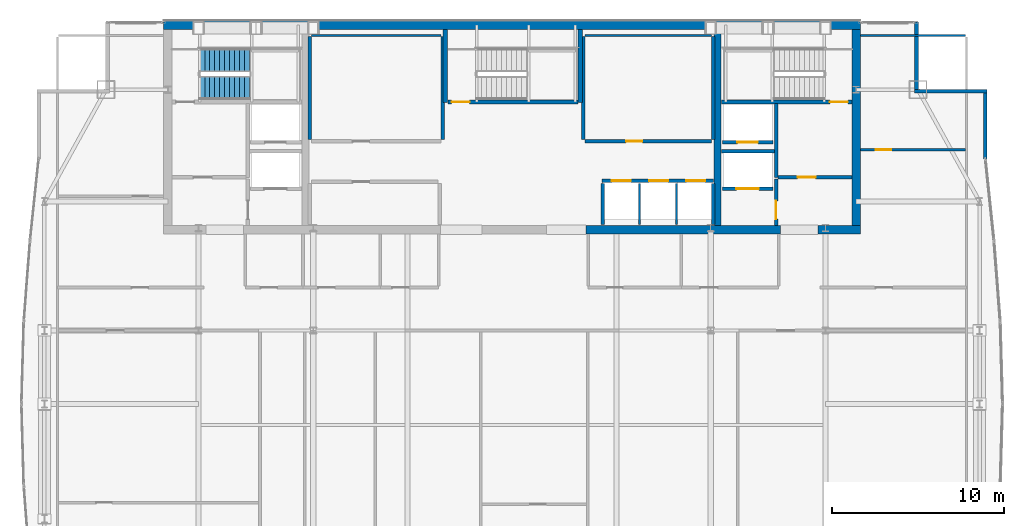
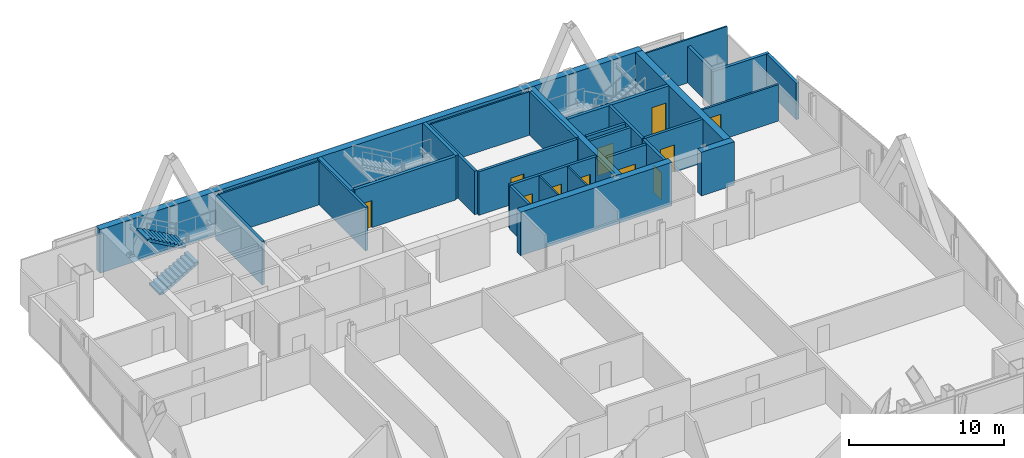
# One storey, part 27 of 30: 32 walls, 11 doors, 2 stair flights, 11 openings, 1 element without a shape of its own.
"""IFC4 building model written with IfcOpenShell, lengths in metres."""

from ifc_helpers import new_model, si_unit, direction, frame, frame_2d, origin, place, context, subcontext, project, spatial, polyline, rectangle, outline, extrude, material, layer, layer_set, type_object, element, fill, aggregate, save


model = new_model("IFC4")

# Units and contexts
model_context = context("Model", 3, precision=1e-05, world=origin(), true_north=direction((0.0, 1.0)))
body_context = subcontext(model_context, "Body", "Model", "MODEL_VIEW")
ifc_project = project(units=[si_unit("LENGTHUNIT", "METRE"), si_unit("AREAUNIT", "SQUARE_METRE"), si_unit("VOLUMEUNIT", "CUBIC_METRE"), si_unit("PLANEANGLEUNIT", "RADIAN"), si_unit("MASSUNIT", "GRAM", prefix="KILO")], contexts=[model_context])

# Site, building, storey
site_placement = place(None, origin())
site = spatial("IfcSite", under=ifc_project, at=site_placement, CompositionType="ELEMENT")
building_placement = place(site_placement, origin())
building = spatial("IfcBuilding", under=site, at=building_placement, Name="Khoronbel Lancet Exchange", CompositionType="ELEMENT")
storey_placement = place(building_placement, frame((0.0, 0.0, 284.199951171875)))
storey = spatial("IfcBuildingStorey", under=building, at=storey_placement, Name="L73", CompositionType="ELEMENT", Elevation=284.199951171875)

# Walls
ifc_material_1 = material(Name="Concrete C60/75", Category="concrete")
ifc_layer_1 = layer(ifc_material_1, 0.5, Name="Concrete C60/75")
ifc_layer_set_1 = layer_set([ifc_layer_1], Name="Concrete C60/75")
wall_type_1 = type_object("IfcWallType", Name="WL-CW4", PredefinedType="SHEAR", material=ifc_layer_set_1)
wall_1_placement = place(storey_placement, frame((16.199951171875, 53.449951171875, 0.0), z_axis=(0.0, 0.0, 1.0), x_axis=(1.0, 0.0, 0.0)))
element("IfcWall", 1, at=wall_1_placement, inside=storey, type_object=wall_type_1, Name="Level L73 rear core north shear wall", PredefinedType="SHEAR", context=body_context, shape_type="SweptSolid", body=[
    extrude(rectangle(XDim=40.5, YDim=0.5, at=frame_2d((20.25, 0.0))), origin(), (0.0, 0.0, 1.0), 3.43994140625),
])
wall_2_placement = place(storey_placement, frame((56.449951171875, 53.199951171875, 0.0), z_axis=(0.0, 0.0, 1.0), x_axis=(0.0, -1.0, 0.0)))
element("IfcWall", 2, at=wall_2_placement, inside=storey, type_object=wall_type_1, Name="Level L73 rear core east shear wall", PredefinedType="SHEAR", context=body_context, shape_type="SweptSolid", body=[
    extrude(rectangle(XDim=11.39990234375, YDim=0.5, at=frame_2d((5.699951171875, 0.0))), origin(), (0.0, 0.0, 1.0), 3.43994140625),
])
wall_3_placement = place(storey_placement, frame((52.050048828125, 41.550048828125, 0.0), z_axis=(0.0, 0.0, 1.0), x_axis=(-1.0, 0.0, 0.0)))
element("IfcWall", 3, at=wall_3_placement, inside=storey, type_object=wall_type_1, Name="Level L73 rear core south shear wall pier P4", PredefinedType="SHEAR", context=body_context, shape_type="SweptSolid", body=[
    extrude(rectangle(XDim=11.300048828125, YDim=0.5, at=frame_2d((5.64990234375, 0.0))), origin(), (0.0, 0.0, 1.0), 3.43994140625),
])
wall_4_placement = place(storey_placement, frame((56.699951171875, 41.550048828125, 0.0), z_axis=(0.0, 0.0, 1.0), x_axis=(-1.0, 0.0, 0.0)))
element("IfcWall", 4, at=wall_4_placement, inside=storey, type_object=wall_type_1, Name="Level L73 rear core south shear wall pier P5", PredefinedType="SHEAR", context=body_context, shape_type="SweptSolid", body=[
    extrude(rectangle(XDim=2.449951171875, YDim=0.5, at=frame_2d((1.22509765625, 0.0))), origin(), (0.0, 0.0, 1.0), 3.43994140625),
])
ifc_material_2 = material(Name="Precast concrete C40/50", Category="concrete")
ifc_layer_2 = layer(ifc_material_2, 0.25, Name="Precast concrete C40/50")
ifc_layer_set_2 = layer_set([ifc_layer_2], Name="Precast concrete C40/50")
wall_type_2 = type_object("IfcWallType", Name="WL-EXT250", PredefinedType="SOLIDWALL", material=ifc_layer_set_2)
wall_5_placement = place(storey_placement, frame((59.9599609375, 53.6298828125, 0.0), z_axis=(0.0, 0.0, 1.0), x_axis=(0.0, -1.0, 0.0)))
element("IfcWall", 5, at=wall_5_placement, inside=storey, type_object=wall_type_2, Name="Level L73 notched-corner limestone pier 14", PredefinedType="SOLIDWALL", context=body_context, shape_type="SweptSolid", body=[
    extrude(rectangle(XDim=3.909912109375, YDim=0.219970703125, at=frame_2d((1.955078125, 0.0))), origin(), (0.0, 0.0, 1.0), 2.880126953125),
])
wall_6_placement = place(storey_placement, frame((59.85009765625, 49.610107421875, 0.0), z_axis=(0.0, 0.0, 1.0), x_axis=(1.0, 0.0, 0.0)))
element("IfcWall", 6, at=wall_6_placement, inside=storey, type_object=wall_type_2, Name="Level L73 notched-corner limestone pier 15", PredefinedType="SOLIDWALL", context=body_context, shape_type="SweptSolid", body=[
    extrude(rectangle(XDim=4.219970703125, YDim=0.219970703125, at=frame_2d((2.10986328125, 0.0))), origin(), (0.0, 0.0, 1.0), 2.880126953125),
])
wall_7_placement = place(storey_placement, frame((63.9599609375, 49.5, 0.0), z_axis=(0.0, 0.0, 1.0), x_axis=(0.0, -1.0, 0.0)))
element("IfcWall", 7, at=wall_7_placement, inside=storey, type_object=wall_type_2, Name="Level L73 notched-corner limestone pier 16", PredefinedType="SOLIDWALL", context=body_context, shape_type="SweptSolid", body=[
    extrude(rectangle(XDim=3.82470703125, YDim=0.219970703125, at=frame_2d((1.912353515625, 0.0))), origin(), (0.0, 0.0, 1.0), 2.880126953125),
])

# Wall, opening, door
ifc_material_3 = material(Name="Acoustic Metal-Stud & Mineral-Wool Gypsum Partition 120 mm", Category="gypsum")
ifc_layer_3 = layer(ifc_material_3, 0.1201171875, Name="Acoustic Metal-Stud & Mineral-Wool Gypsum Partition 120 mm")
ifc_layer_set_3 = layer_set([ifc_layer_3], Name="Acoustic Metal-Stud & Mineral-Wool Gypsum Partition 120 mm")
wall_type_3 = type_object("IfcWallType", Name="WL-PRT120", PredefinedType="PARTITIONING", material=ifc_layer_set_3)
wall_8_placement = place(storey_placement, frame((56.699951171875, 46.199951171875, 0.0), z_axis=(0.0, 0.0, 1.0), x_axis=(1.0, 0.0, 0.0)))
wall_8 = element("IfcWall", 8, at=wall_8_placement, inside=storey, type_object=wall_type_3, Name="Level L73 interior partition PW-NE-H", PredefinedType="PARTITIONING", context=body_context, shape_type="SweptSolid", body=[
    extrude(rectangle(XDim=6.10498046875, YDim=0.14990234375, at=frame_2d((3.052490234375, 0.0))), origin(), (0.0, 0.0, 1.0), 2.880126953125),
])
opening_1_placement = place(wall_8_placement, frame((0.89990234375, 0.0, 0.0)))
opening_1 = element("IfcOpeningElement", 9, at=opening_1_placement, cuts=wall_8, Name="Opening D5", PredefinedType="OPENING", context=body_context, shape_type="SweptSolid", body=[
    extrude(rectangle(XDim=0.89990234375, YDim=2.050048828125, at=frame_2d((0.449951171875, 1.02490234375))), frame((0.0, 0.0849609375, 0.0), z_axis=(0.0, -1.0, 0.0), x_axis=(1.0, 0.0, 0.0)), (0.0, 0.0, 1.0), 0.169921875),
])
ifc_material_4 = material(Name="Acoustic Timber Pantry & Support Door", Category="wood")
door_type_1 = type_object("IfcDoorType", Name="DR-D5", OperationType="NOTDEFINED", PredefinedType="DOOR", material=ifc_material_4)
door_1_placement = place(opening_1_placement, origin())
door_1 = element("IfcDoor", 10, at=door_1_placement, inside=storey, type_object=door_type_1, Name="NE north room door L73-1", OperationType="SINGLE_SWING_LEFT", OverallHeight=2.050048828125, OverallWidth=0.89990234375, PredefinedType="DOOR", context=body_context, shape_type="SweptSolid", body=[
    extrude(rectangle(XDim=0.89990234375, YDim=2.050048828125, at=frame_2d((0.449951171875, 1.02490234375))), frame((0.0, 0.02490234375, 0.0), z_axis=(0.0, -1.0, 0.0), x_axis=(1.0, 0.0, 0.0)), (0.0, 0.0, 1.0), 0.050048828125),
])
fill(opening_1, door_1)

# Walls
wall_9_placement = place(storey_placement, frame((56.699951171875, 52.840087890625, 0.0), z_axis=(0.0, 0.0, 1.0), x_axis=(1.0, 0.0, 0.0)))
element("IfcWall", 11, at=wall_9_placement, inside=storey, type_object=wall_type_3, Name="Level L73 interior partition PW-LIN-NE", PredefinedType="PARTITIONING", context=body_context, shape_type="SweptSolid", body=[
    extrude(rectangle(XDim=6.10498046875, YDim=0.1201171875, at=frame_2d((3.052490234375, 0.0))), origin(), (0.0, 0.0, 1.0), 3.43994140625),
])
ifc_material_5 = material(Name="Fire-Rated Metal-Stud & Mineral-Wool Gypsum Partition 120 mm", Category="gypsum")
ifc_layer_4 = layer(ifc_material_5, 0.1201171875, Name="Fire-Rated Metal-Stud & Mineral-Wool Gypsum Partition 120 mm")
ifc_layer_set_4 = layer_set([ifc_layer_4], Name="Fire-Rated Metal-Stud & Mineral-Wool Gypsum Partition 120 mm")
wall_type_4 = type_object("IfcWallType", Name="WL-PRT120F", PredefinedType="PARTITIONING", material=ifc_layer_set_4)
wall_10_placement = place(storey_placement, frame((24.804931640625, 52.860107421875, 0.0), z_axis=(0.0, 0.0, 1.0), x_axis=(1.0, 0.0, 0.0)))
element("IfcWall", 12, at=wall_10_placement, inside=storey, type_object=wall_type_4, Name="Level L73 interior partition CW-PL-RN", PredefinedType="PARTITIONING", context=body_context, shape_type="SweptSolid", body=[
    extrude(rectangle(XDim=7.510009765625, YDim=0.1201171875, at=frame_2d((3.7548828125, 0.0))), origin(), (0.0, 0.0, 1.0), 3.43994140625),
])
wall_11_placement = place(storey_placement, frame((40.68505859375, 52.860107421875, 0.0), z_axis=(0.0, 0.0, 1.0), x_axis=(1.0, 0.0, 0.0)))
element("IfcWall", 13, at=wall_11_placement, inside=storey, type_object=wall_type_4, Name="Level L73 interior partition CW-PH-RN", PredefinedType="PARTITIONING", context=body_context, shape_type="SweptSolid", body=[
    extrude(rectangle(XDim=7.349853515625, YDim=0.1201171875, at=frame_2d((3.6748046875, 0.0))), origin(), (0.0, 0.0, 1.0), 3.43994140625),
])
for number, where, z_axis, x_axis, name in (
    (14, (43.860107421875, 41.85009765625, 0.0), (0.0, 0.0, 1.0), (0.0, 1.0, 0.0), "Level L73 interior partition CW-PX-D1"),
    (15, (46.0, 41.85009765625, 0.0), (0.0, 0.0, 1.0), (0.0, 1.0, 0.0), "Level L73 interior partition CW-PX-D2"),
):
    element("IfcWall", number, at=place(storey_placement, frame(where, z_axis=z_axis, x_axis=x_axis)), inside=storey, type_object=wall_type_4, Name=name, PredefinedType="PARTITIONING", context=body_context, shape_type="SweptSolid", body=[
        extrude(rectangle(XDim=2.39990234375, YDim=0.1201171875, at=frame_2d((1.199951171875, 0.0))), origin(), (0.0, 0.0, 1.0), 3.43994140625),
    ])

# Wall, openings, doors
ifc_material_6 = material(Name="Autoclaved Aerated Concrete Blockwork 200 mm", Category="masonry")
ifc_layer_5 = layer(ifc_material_6, 0.199951171875, Name="Autoclaved Aerated Concrete Blockwork 200 mm")
ifc_layer_set_5 = layer_set([ifc_layer_5], Name="Autoclaved Aerated Concrete Blockwork 200 mm")
wall_type_5 = type_object("IfcWallType", Name="WL-PRT200", PredefinedType="PARTITIONING", material=ifc_layer_set_5)
wall_12_placement = place(storey_placement, frame((41.679931640625, 44.39990234375, 0.0), z_axis=(0.0, 0.0, 1.0), x_axis=(1.0, 0.0, 0.0)))
wall_12 = element("IfcWall", 16, at=wall_12_placement, inside=storey, type_object=wall_type_5, Name="Level L73 elevator hoistway landing front wall PXE", PredefinedType="PARTITIONING", context=body_context, shape_type="SweptSolid", body=[
    extrude(rectangle(XDim=6.47998046875, YDim=0.199951171875, at=frame_2d((3.239990234375, 0.0))), origin(), (0.0, 0.0, 1.0), 3.43994140625),
])
opening_2_placement = place(wall_12_placement, frame((0.580078125, 0.0, 0.0)))
opening_2 = element("IfcOpeningElement", 17, at=opening_2_placement, cuts=wall_12, Name="Opening LD-PX1", PredefinedType="OPENING", context=body_context, shape_type="SweptSolid", body=[
    extrude(rectangle(XDim=1.10009765625, YDim=2.179931640625, at=frame_2d((0.550048828125, 1.08984375))), frame((0.0, 0.10986328125, 0.0), z_axis=(0.0, -1.0, 0.0), x_axis=(1.0, 0.0, 0.0)), (0.0, 0.0, 1.0), 0.219970703125),
])
opening_3_placement = place(wall_12_placement, frame((2.739990234375, 0.0, 0.0)))
opening_3 = element("IfcOpeningElement", 18, at=opening_3_placement, cuts=wall_12, Name="Opening LD-PX2", PredefinedType="OPENING", context=body_context, shape_type="SweptSolid", body=[
    extrude(rectangle(XDim=1.10009765625, YDim=2.179931640625, at=frame_2d((0.550048828125, 1.08984375))), frame((0.0, 0.10986328125, 0.0), z_axis=(0.0, -1.0, 0.0), x_axis=(1.0, 0.0, 0.0)), (0.0, 0.0, 1.0), 0.219970703125),
])
opening_4_placement = place(wall_12_placement, frame((4.89990234375, 0.0, 0.0)))
opening_4 = element("IfcOpeningElement", 19, at=opening_4_placement, cuts=wall_12, Name="Opening LD-PX3", PredefinedType="OPENING", context=body_context, shape_type="SweptSolid", body=[
    extrude(rectangle(XDim=1.10009765625, YDim=2.179931640625, at=frame_2d((0.550048828125, 1.08984375))), frame((0.0, 0.10986328125, 0.0), z_axis=(0.0, -1.0, 0.0), x_axis=(1.0, 0.0, 0.0)), (0.0, 0.0, 1.0), 0.219970703125),
])
ifc_material_7 = material(Name="Brushed Bronze Bi-Parting Elevator Landing Door", Category="steel")
door_type_2 = type_object("IfcDoorType", Name="DR-LD-PAX", OperationType="NOTDEFINED", PredefinedType="DOOR", material=ifc_material_7)
door_2_placement = place(opening_2_placement, origin())
door_2 = element("IfcDoor", 20, at=door_2_placement, inside=storey, type_object=door_type_2, Name="Elevator landing sliding door LD-PX1 L73", OperationType="SLIDING_TO_LEFT", OverallHeight=2.179931640625, OverallWidth=1.10009765625, PredefinedType="DOOR", context=body_context, shape_type="SweptSolid", body=[
    extrude(rectangle(XDim=1.10009765625, YDim=2.179931640625, at=frame_2d((0.550048828125, 1.08984375))), frame((0.0, 0.02490234375, 0.0), z_axis=(0.0, -1.0, 0.0), x_axis=(1.0, 0.0, 0.0)), (0.0, 0.0, 1.0), 0.050048828125),
])
fill(opening_2, door_2)
door_3_placement = place(opening_3_placement, origin())
door_3 = element("IfcDoor", 21, at=door_3_placement, inside=storey, type_object=door_type_2, Name="Elevator landing sliding door LD-PX2 L73", OperationType="SLIDING_TO_LEFT", OverallHeight=2.179931640625, OverallWidth=1.10009765625, PredefinedType="DOOR", context=body_context, shape_type="SweptSolid", body=[
    extrude(rectangle(XDim=1.10009765625, YDim=2.179931640625, at=frame_2d((0.550048828125, 1.08984375))), frame((0.0, 0.02490234375, 0.0), z_axis=(0.0, -1.0, 0.0), x_axis=(1.0, 0.0, 0.0)), (0.0, 0.0, 1.0), 0.050048828125),
])
fill(opening_3, door_3)
door_4_placement = place(opening_4_placement, origin())
door_4 = element("IfcDoor", 22, at=door_4_placement, inside=storey, type_object=door_type_2, Name="Elevator landing sliding door LD-PX3 L73", OperationType="SLIDING_TO_LEFT", OverallHeight=2.179931640625, OverallWidth=1.10009765625, PredefinedType="DOOR", context=body_context, shape_type="SweptSolid", body=[
    extrude(rectangle(XDim=1.10009765625, YDim=2.179931640625, at=frame_2d((0.550048828125, 1.08984375))), frame((0.0, 0.02490234375, 0.0), z_axis=(0.0, -1.0, 0.0), x_axis=(1.0, 0.0, 0.0)), (0.0, 0.0, 1.0), 0.050048828125),
])
fill(opening_4, door_4)

# Wall, opening, door
wall_13_placement = place(storey_placement, frame((51.610107421875, 43.949951171875, 0.0), z_axis=(0.0, 0.0, 1.0), x_axis=(-1.0, 0.0, 0.0)))
wall_13 = element("IfcWall", 23, at=wall_13_placement, inside=storey, type_object=wall_type_5, Name="Level L73 elevator hoistway landing front wall SVLE", PredefinedType="PARTITIONING", context=body_context, shape_type="SweptSolid", body=[
    extrude(rectangle(XDim=2.920166015625, YDim=0.199951171875, at=frame_2d((1.4599609375, 0.0))), origin(), (0.0, 0.0, 1.0), 3.43994140625),
])
opening_5_placement = place(wall_13_placement, frame((0.81005859375, 0.0, 0.0)))
opening_5 = element("IfcOpeningElement", 24, at=opening_5_placement, cuts=wall_13, Name="Opening LD-SVL2", PredefinedType="OPENING", context=body_context, shape_type="SweptSolid", body=[
    extrude(rectangle(XDim=1.300048828125, YDim=2.179931640625, at=frame_2d((0.64990234375, 1.08984375))), frame((0.0, 0.10986328125, 0.0), z_axis=(0.0, -1.0, 0.0), x_axis=(1.0, 0.0, 0.0)), (0.0, 0.0, 1.0), 0.219970703125),
])
ifc_material_8 = material(Name="Heavy-Duty Bi-Parting Goods Lift Landing Door", Category="steel")
door_type_3 = type_object("IfcDoorType", Name="DR-LD-SVL", OperationType="NOTDEFINED", PredefinedType="DOOR", material=ifc_material_8)
door_5_placement = place(opening_5_placement, origin())
door_5 = element("IfcDoor", 25, at=door_5_placement, inside=storey, type_object=door_type_3, Name="Elevator landing sliding door LD-SVL2 L73", OperationType="SLIDING_TO_LEFT", OverallHeight=2.179931640625, OverallWidth=1.300048828125, PredefinedType="DOOR", context=body_context, shape_type="SweptSolid", body=[
    extrude(rectangle(XDim=1.300048828125, YDim=2.179931640625, at=frame_2d((0.64990234375, 1.08984375))), frame((0.0, 0.02490234375, 0.0), z_axis=(0.0, -1.0, 0.0), x_axis=(1.0, 0.0, 0.0)), (0.0, 0.0, 1.0), 0.050048828125),
])
fill(opening_5, door_5)

wall_14_placement = place(storey_placement, frame((51.610107421875, 46.64990234375, 0.0), z_axis=(0.0, 0.0, 1.0), x_axis=(-1.0, 0.0, 0.0)))
wall_14 = element("IfcWall", 26, at=wall_14_placement, inside=storey, type_object=wall_type_5, Name="Level L73 elevator hoistway landing front wall FFLE", PredefinedType="PARTITIONING", context=body_context, shape_type="SweptSolid", body=[
    extrude(rectangle(XDim=2.920166015625, YDim=0.199951171875, at=frame_2d((1.4599609375, 0.0))), origin(), (0.0, 0.0, 1.0), 3.43994140625),
])
opening_6_placement = place(wall_14_placement, frame((0.860107421875, 0.0, 0.0)))
opening_6 = element("IfcOpeningElement", 27, at=opening_6_placement, cuts=wall_14, Name="Opening LD-FFL2", PredefinedType="OPENING", context=body_context, shape_type="SweptSolid", body=[
    extrude(rectangle(XDim=1.199951171875, YDim=2.179931640625, at=frame_2d((0.60009765625, 1.08984375))), frame((0.0, 0.10986328125, 0.0), z_axis=(0.0, -1.0, 0.0), x_axis=(1.0, 0.0, 0.0)), (0.0, 0.0, 1.0), 0.219970703125),
])
ifc_material_9 = material(Name="Fire-Rated Stainless Bi-Parting Firefighting Lift Door", Category="steel")
door_type_4 = type_object("IfcDoorType", Name="DR-LD-FFL", OperationType="NOTDEFINED", PredefinedType="DOOR", material=ifc_material_9)
door_6_placement = place(opening_6_placement, origin())
door_6 = element("IfcDoor", 28, at=door_6_placement, inside=storey, type_object=door_type_4, Name="Elevator landing sliding door LD-FFL2 L73", OperationType="SLIDING_TO_LEFT", OverallHeight=2.179931640625, OverallWidth=1.199951171875, PredefinedType="DOOR", context=body_context, shape_type="SweptSolid", body=[
    extrude(rectangle(XDim=1.199951171875, YDim=2.179931640625, at=frame_2d((0.60009765625, 1.08984375))), frame((0.0, 0.02490234375, 0.0), z_axis=(0.0, -1.0, 0.0), x_axis=(1.0, 0.0, 0.0)), (0.0, 0.0, 1.0), 0.050048828125),
])
fill(opening_6, door_6)

# Wall
wall_15_placement = place(storey_placement, frame((51.800048828125, 44.60009765625, 0.0), z_axis=(0.0, 0.0, 1.0), x_axis=(0.0, 1.0, 0.0)))
element("IfcWall", 29, at=wall_15_placement, inside=storey, type_object=wall_type_5, Name="Level L73 interior partition CW-FFLE-W", PredefinedType="PARTITIONING", context=body_context, shape_type="SweptSolid", body=[
    extrude(rectangle(XDim=4.2998046875, YDim=0.199951171875, at=frame_2d((2.14990234375, 0.0))), origin(), (0.0, 0.0, 1.0), 3.43994140625),
])

# Wall, opening, door
wall_16_placement = place(storey_placement, frame((51.89990234375, 44.60009765625, 0.0), z_axis=(0.0, 0.0, 1.0), x_axis=(1.0, 0.0, 0.0)))
wall_16 = element("IfcWall", 30, at=wall_16_placement, inside=storey, type_object=wall_type_5, Name="Level L73 interior partition CW-FFLE-S", PredefinedType="PARTITIONING", context=body_context, shape_type="SweptSolid", body=[
    extrude(rectangle(XDim=4.300048828125, YDim=0.199951171875, at=frame_2d((2.14990234375, 0.0))), origin(), (0.0, 0.0, 1.0), 3.43994140625),
])
opening_7_placement = place(wall_16_placement, frame((1.14990234375, 0.0, 0.0)))
opening_7 = element("IfcOpeningElement", 31, at=opening_7_placement, cuts=wall_16, Name="Opening FD1", PredefinedType="OPENING", context=body_context, shape_type="SweptSolid", body=[
    extrude(rectangle(XDim=1.050048828125, YDim=2.14990234375, at=frame_2d((0.52490234375, 1.074951171875))), frame((0.0, 0.10986328125, 0.0), z_axis=(0.0, -1.0, 0.0), x_axis=(1.0, 0.0, 0.0)), (0.0, 0.0, 1.0), 0.219970703125),
])
ifc_material_10 = material(Name="Fire-Rated Painted Steel Door Assembly", Category="steel")
door_type_5 = type_object("IfcDoorType", Name="DR-FD1", OperationType="NOTDEFINED", PredefinedType="DOOR", material=ifc_material_10)
door_7_placement = place(opening_7_placement, origin())
door_7 = element("IfcDoor", 32, at=door_7_placement, inside=storey, type_object=door_type_5, Name="East firefighting lobby FD90S door L73-1", OperationType="SINGLE_SWING_RIGHT", OverallHeight=2.14990234375, OverallWidth=1.050048828125, PredefinedType="DOOR", context=body_context, shape_type="SweptSolid", body=[
    extrude(rectangle(XDim=1.050048828125, YDim=2.14990234375, at=frame_2d((0.52490234375, 1.074951171875))), frame((0.0, 0.02490234375, 0.0), z_axis=(0.0, -1.0, 0.0), x_axis=(1.0, 0.0, 0.0)), (0.0, 0.0, 1.0), 0.050048828125),
])
fill(opening_7, door_7)

# Wall
wall_17_placement = place(storey_placement, frame((48.6298828125, 46.1201171875, 0.0), z_axis=(0.0, 0.0, 1.0), x_axis=(1.0, 0.0, 0.0)))
element("IfcWall", 33, at=wall_17_placement, inside=storey, type_object=wall_type_5, Name="Level L73 interior partition CW-FFL2-S", PredefinedType="PARTITIONING", context=body_context, shape_type="SweptSolid", body=[
    extrude(rectangle(XDim=3.070068359375, YDim=0.199951171875, at=frame_2d((1.53515625, 0.0))), origin(), (0.0, 0.0, 1.0), 3.43994140625),
])

# Wall, opening, door
wall_18_placement = place(storey_placement, frame((51.800048828125, 41.800048828125, 0.0), z_axis=(0.0, 0.0, 1.0), x_axis=(0.0, 1.0, 0.0)))
wall_18 = element("IfcWall", 34, at=wall_18_placement, inside=storey, type_object=wall_type_5, Name="Level L73 interior partition CW-SVLE-E", PredefinedType="PARTITIONING", context=body_context, shape_type="SweptSolid", body=[
    extrude(rectangle(XDim=2.695068359375, YDim=0.199951171875, at=frame_2d((1.34765625, 0.0))), origin(), (0.0, 0.0, 1.0), 3.43994140625),
])
opening_8_placement = place(wall_18_placement, frame((0.3798828125, 0.0, 0.0)))
opening_8 = element("IfcOpeningElement", 35, at=opening_8_placement, cuts=wall_18, Name="Opening FD1", PredefinedType="OPENING", context=body_context, shape_type="SweptSolid", body=[
    extrude(rectangle(XDim=1.050048828125, YDim=2.14990234375, at=frame_2d((0.52490234375, 1.074951171875))), frame((0.0, 0.10986328125, 0.0), z_axis=(0.0, -1.0, 0.0), x_axis=(1.0, 0.0, 0.0)), (0.0, 0.0, 1.0), 0.219970703125),
])
door_8_placement = place(opening_8_placement, origin())
door_8 = element("IfcDoor", 36, at=door_8_placement, inside=storey, type_object=door_type_5, Name="East service lift lobby door L73-1", OperationType="SINGLE_SWING_LEFT", OverallHeight=2.14990234375, OverallWidth=1.050048828125, PredefinedType="DOOR", context=body_context, shape_type="SweptSolid", body=[
    extrude(rectangle(XDim=1.050048828125, YDim=2.14990234375, at=frame_2d((0.52490234375, 1.074951171875))), frame((0.0, 0.02490234375, 0.0), z_axis=(0.0, -1.0, 0.0), x_axis=(1.0, 0.0, 0.0)), (0.0, 0.0, 1.0), 0.050048828125),
])
fill(opening_8, door_8)

# Walls
for number, where, z_axis, x_axis, name in (
    (37, (24.699951171875, 46.804931640625, 0.0), (0.0, 0.0, 1.0), (0.0, 1.0, 0.0), "Level L73 interior partition CW-PL-RW"),
    (38, (32.419921875, 46.804931640625, 0.0), (0.0, 0.0, 1.0), (0.0, 1.0, 0.0), "Level L73 interior partition CW-PL-RE"),
    (39, (40.580078125, 46.804931640625, 0.0), (0.0, 0.0, 1.0), (0.0, 1.0, 0.0), "Level L73 interior partition CW-PH-RW"),
    (40, (48.139892578125, 46.804931640625, 0.0), (0.0, 0.0, 1.0), (0.0, 1.0, 0.0), "Level L73 interior partition CW-PH-RE"),
):
    element("IfcWall", number, at=place(storey_placement, frame(where, z_axis=z_axis, x_axis=x_axis)), inside=storey, type_object=wall_type_5, Name=name, PredefinedType="PARTITIONING", context=body_context, shape_type="SweptSolid", body=[
        extrude(rectangle(XDim=5.989990234375, YDim=0.199951171875, at=frame_2d((2.9951171875, 0.0))), origin(), (0.0, 0.0, 1.0), 3.43994140625),
    ])

# Wall, opening, door
wall_19_placement = place(storey_placement, frame((40.68505859375, 46.699951171875, 0.0), z_axis=(0.0, 0.0, 1.0), x_axis=(1.0, 0.0, 0.0)))
wall_19 = element("IfcWall", 41, at=wall_19_placement, inside=storey, type_object=wall_type_5, Name="Level L73 interior partition CW-PH-RF", PredefinedType="PARTITIONING", context=body_context, shape_type="SweptSolid", body=[
    extrude(rectangle(XDim=7.349853515625, YDim=0.199951171875, at=frame_2d((3.6748046875, 0.0))), origin(), (0.0, 0.0, 1.0), 3.43994140625),
])
opening_9_placement = place(wall_19_placement, frame((2.39990234375, 0.0, 0.0)))
opening_9 = element("IfcOpeningElement", 42, at=opening_9_placement, cuts=wall_19, Name="Opening FD3", PredefinedType="OPENING", context=body_context, shape_type="SweptSolid", body=[
    extrude(rectangle(XDim=0.949951171875, YDim=2.10009765625, at=frame_2d((0.47509765625, 1.050048828125))), frame((0.0, 0.10986328125, 0.0), z_axis=(0.0, -1.0, 0.0), x_axis=(1.0, 0.0, 0.0)), (0.0, 0.0, 1.0), 0.219970703125),
])
ifc_material_11 = material(Name="Fire-Rated Steel Plant & Riser Door Assembly", Category="steel")
door_type_6 = type_object("IfcDoorType", Name="DR-FD3", OperationType="NOTDEFINED", PredefinedType="DOOR", material=ifc_material_11)
door_9_placement = place(opening_9_placement, origin())
door_9 = element("IfcDoor", 43, at=door_9_placement, inside=storey, type_object=door_type_6, Name="Reclaimed PH room door L73-1", OperationType="SINGLE_SWING_RIGHT", OverallHeight=2.10009765625, OverallWidth=0.949951171875, PredefinedType="DOOR", context=body_context, shape_type="SweptSolid", body=[
    extrude(rectangle(XDim=0.949951171875, YDim=2.10009765625, at=frame_2d((0.47509765625, 1.050048828125))), frame((0.0, 0.02490234375, 0.0), z_axis=(0.0, -1.0, 0.0), x_axis=(1.0, 0.0, 0.0)), (0.0, 0.0, 1.0), 0.050048828125),
])
fill(opening_9, door_9)

# Walls
for number, where, z_axis, x_axis, name in (
    (44, (41.719970703125, 41.85009765625, 0.0), (0.0, 0.0, 1.0), (0.0, 1.0, 0.0), "Level L73 interior partition CW-PX-W"),
    (45, (48.139892578125, 41.85009765625, 0.0), (0.0, 0.0, 1.0), (0.0, 1.0, 0.0), "Level L73 interior partition CW-PX-E"),
):
    element("IfcWall", number, at=place(storey_placement, frame(where, z_axis=z_axis, x_axis=x_axis)), inside=storey, type_object=wall_type_5, Name=name, PredefinedType="PARTITIONING", context=body_context, shape_type="SweptSolid", body=[
        extrude(rectangle(XDim=2.39990234375, YDim=0.199951171875, at=frame_2d((1.199951171875, 0.0))), origin(), (0.0, 0.0, 1.0), 3.43994140625),
    ])
ifc_layer_6 = layer(ifc_material_1, 0.39990234375, Name="Concrete C60/75")
ifc_layer_set_6 = layer_set([ifc_layer_6], Name="Concrete C60/75")
wall_type_6 = type_object("IfcWallType", Name="WL-SW2", PredefinedType="SHEAR", material=ifc_layer_set_6)
wall_20_placement = place(storey_placement, frame((48.39990234375, 41.800048828125, 0.0), z_axis=(0.0, 0.0, 1.0), x_axis=(0.0, 1.0, 0.0)))
element("IfcWall", 46, at=wall_20_placement, inside=storey, type_object=wall_type_6, Name="Level L73 rear core internal spine shear wall IE", PredefinedType="SHEAR", context=body_context, shape_type="SweptSolid", body=[
    extrude(rectangle(XDim=11.39990234375, YDim=0.39990234375, at=frame_2d((5.699951171875, 0.0))), origin(), (0.0, 0.0, 1.0), 3.43994140625),
])
ifc_layer_7 = layer(ifc_material_1, 0.260009765625, Name="Concrete C60/75")
ifc_layer_set_7 = layer_set([ifc_layer_7], Name="Concrete C60/75")
wall_type_7 = type_object("IfcWallType", Name="WL-SW3", PredefinedType="SHEAR", material=ifc_layer_set_7)
for number, where, z_axis, x_axis, name in (
    (47, (32.580078125, 48.949951171875, 0.0), (0.0, 0.0, 1.0), (0.0, 1.0, 0.0), "Level L73 central stairwell structural shear wall ST3W"),
    (48, (40.419921875, 48.949951171875, 0.0), (0.0, 0.0, 1.0), (0.0, 1.0, 0.0), "Level L73 central stairwell structural shear wall ST3E"),
):
    element("IfcWall", number, at=place(storey_placement, frame(where, z_axis=z_axis, x_axis=x_axis)), inside=storey, type_object=wall_type_7, Name=name, PredefinedType="SHEAR", context=body_context, shape_type="SweptSolid", body=[
        extrude(rectangle(XDim=4.25, YDim=0.260009765625, at=frame_2d((2.125, 0.0))), origin(), (0.0, 0.0, 1.0), 3.43994140625),
    ])

# Wall, opening, door
wall_21_placement = place(storey_placement, frame((48.6298828125, 48.97998046875, 0.0), z_axis=(0.0, 0.0, 1.0), x_axis=(1.0, 0.0, 0.0)))
wall_21 = element("IfcWall", 49, at=wall_21_placement, inside=storey, type_object=wall_type_7, Name="Level L73 east stairwell structural south wall", PredefinedType="SHEAR", context=body_context, shape_type="SweptSolid", body=[
    extrude(rectangle(XDim=7.570068359375, YDim=0.239990234375, at=frame_2d((3.78515625, 0.0))), origin(), (0.0, 0.0, 1.0), 3.43994140625),
])
opening_10_placement = place(wall_21_placement, frame((6.300048828125, 0.0, 0.0)))
opening_10 = element("IfcOpeningElement", 50, at=opening_10_placement, cuts=wall_21, Name="Opening SD1", PredefinedType="OPENING", context=body_context, shape_type="SweptSolid", body=[
    extrude(rectangle(XDim=1.050048828125, YDim=2.14990234375, at=frame_2d((0.52490234375, 1.074951171875))), frame((0.0, 0.1298828125, 0.0), z_axis=(0.0, -1.0, 0.0), x_axis=(1.0, 0.0, 0.0)), (0.0, 0.0, 1.0), 0.260009765625),
])
ifc_material_12 = material(Name="Fire-Rated Steel Stairwell Door Assembly", Category="steel")
door_type_7 = type_object("IfcDoorType", Name="DR-SD1", OperationType="NOTDEFINED", PredefinedType="DOOR", material=ifc_material_12)
door_10_placement = place(opening_10_placement, origin())
door_10 = element("IfcDoor", 51, at=door_10_placement, inside=storey, type_object=door_type_7, Name="Protected exit stair ST2 door L73", OperationType="SINGLE_SWING_RIGHT", OverallHeight=2.14990234375, OverallWidth=1.050048828125, PredefinedType="DOOR", context=body_context, shape_type="SweptSolid", body=[
    extrude(rectangle(XDim=1.050048828125, YDim=2.14990234375, at=frame_2d((0.52490234375, 1.074951171875))), frame((0.0, 0.02490234375, 0.0), z_axis=(0.0, -1.0, 0.0), x_axis=(1.0, 0.0, 0.0)), (0.0, 0.0, 1.0), 0.050048828125),
])
fill(opening_10, door_10)

wall_22_placement = place(storey_placement, frame((32.719970703125, 48.97998046875, 0.0), z_axis=(0.0, 0.0, 1.0), x_axis=(1.0, 0.0, 0.0)))
wall_22 = element("IfcWall", 52, at=wall_22_placement, inside=storey, type_object=wall_type_7, Name="Level L73 central stairwell structural south wall", PredefinedType="SHEAR", context=body_context, shape_type="SweptSolid", body=[
    extrude(rectangle(XDim=7.56005859375, YDim=0.239990234375, at=frame_2d((3.780029296875, 0.0))), origin(), (0.0, 0.0, 1.0), 3.43994140625),
])
opening_11_placement = place(wall_22_placement, frame((0.219970703125, 0.0, 0.0)))
opening_11 = element("IfcOpeningElement", 53, at=opening_11_placement, cuts=wall_22, Name="Opening SD1", PredefinedType="OPENING", context=body_context, shape_type="SweptSolid", body=[
    extrude(rectangle(XDim=1.050048828125, YDim=2.14990234375, at=frame_2d((0.52490234375, 1.074951171875))), frame((0.0, 0.1298828125, 0.0), z_axis=(0.0, -1.0, 0.0), x_axis=(1.0, 0.0, 0.0)), (0.0, 0.0, 1.0), 0.260009765625),
])
door_11_placement = place(opening_11_placement, origin())
door_11 = element("IfcDoor", 54, at=door_11_placement, inside=storey, type_object=door_type_7, Name="Protected exit stair ST3 door L73", OperationType="SINGLE_SWING_LEFT", OverallHeight=2.14990234375, OverallWidth=1.050048828125, PredefinedType="DOOR", context=body_context, shape_type="SweptSolid", body=[
    extrude(rectangle(XDim=1.050048828125, YDim=2.14990234375, at=frame_2d((0.52490234375, 1.074951171875))), frame((0.0, 0.02490234375, 0.0), z_axis=(0.0, -1.0, 0.0), x_axis=(1.0, 0.0, 0.0)), (0.0, 0.0, 1.0), 0.050048828125),
])
fill(opening_11, door_11)

# Stair, stair flights
ifc_material_13 = material(Name="Concrete C40/50", Category="concrete")
stair_type = type_object("IfcStairType", Name="STR-CORE150", PredefinedType="HALF_TURN_STAIR", material=ifc_material_13)
stair_placement = place(storey_placement, origin())
stair = element("IfcStair", 55, at=stair_placement, inside=storey, type_object=stair_type, Name="L73 Protected Exit Stair ST1", PredefinedType="HALF_TURN_STAIR")
stair_flight_type = type_object("IfcStairFlightType", Name="STF-150", PredefinedType="STRAIGHT", material=ifc_material_13)
stair_flight_1_placement = place(storey_placement, frame((18.300048828125, 49.81005859375, 0.0), z_axis=(0.0, 0.0, 1.0), x_axis=(1.0, 0.0, 0.0)))
stair_flight_1 = element("IfcStairFlight", 56, at=stair_flight_1_placement, type_object=stair_flight_type, Name="ST1 flight 1", NumberOfRisers=11, NumberOfTreads=10, PredefinedType="STRAIGHT", RiserHeight=0.163636364, TreadLength=0.29, context=body_context, shape_type="SweptSolid", body=[
    extrude(outline(polyline([(0.0, 0.0), (0.0, 0.16357421875), (0.2900390625, 0.16357421875), (0.2900390625, 0.327392578125), (0.580078125, 0.327392578125), (0.580078125, 0.490966796875), (0.8701171875, 0.490966796875), (0.8701171875, 0.654541015625), (1.159912109375, 0.654541015625), (1.159912109375, 0.818115234375), (1.449951171875, 0.818115234375), (1.449951171875, 0.98193359375), (1.739990234375, 0.98193359375), (1.739990234375, 1.1455078125), (2.030029296875, 1.1455078125), (2.030029296875, 1.30908203125), (2.320068359375, 1.30908203125), (2.320068359375, 1.47265625), (2.610107421875, 1.47265625), (2.610107421875, 1.636474609375), (2.89990234375, 1.636474609375), (2.89990234375, 1.800048828125), (2.89990234375, 1.46435546875), (0.304931640625, 0.0), (0.0, 0.0)])), frame((0.0, 0.68994140625, 0.0), z_axis=(0.0, -1.0, 0.0), x_axis=(1.0, 0.0, 0.0)), (0.0, 0.0, 1.0), 1.3798828125),
])
stair_flight_2_placement = place(storey_placement, frame((21.199951171875, 51.409912109375, 1.800048828125), z_axis=(0.0, 0.0, 1.0), x_axis=(-1.0, 0.0, 0.0)))
stair_flight_2 = element("IfcStairFlight", 57, at=stair_flight_2_placement, type_object=stair_flight_type, Name="ST1 flight 2", NumberOfRisers=11, NumberOfTreads=10, PredefinedType="STRAIGHT", RiserHeight=0.163636364, TreadLength=0.29, context=body_context, shape_type="SweptSolid", body=[
    extrude(outline(polyline([(0.0, 0.0), (0.0, 0.16357421875), (0.2900390625, 0.16357421875), (0.2900390625, 0.327392578125), (0.580078125, 0.327392578125), (0.580078125, 0.490966796875), (0.8701171875, 0.490966796875), (0.8701171875, 0.654541015625), (1.159912109375, 0.654541015625), (1.159912109375, 0.818115234375), (1.449951171875, 0.818115234375), (1.449951171875, 0.98193359375), (1.739990234375, 0.98193359375), (1.739990234375, 1.1455078125), (2.030029296875, 1.1455078125), (2.030029296875, 1.30908203125), (2.320068359375, 1.30908203125), (2.320068359375, 1.47265625), (2.610107421875, 1.47265625), (2.610107421875, 1.636474609375), (2.89990234375, 1.636474609375), (2.89990234375, 1.800048828125), (2.89990234375, 1.46435546875), (0.304931640625, 0.0), (0.0, 0.0)])), frame((0.0, 0.68994140625, 0.0), z_axis=(0.0, -1.0, 0.0), x_axis=(1.0, 0.0, 0.0)), (0.0, 0.0, 1.0), 1.3798828125),
])
aggregate(stair, [stair_flight_1, stair_flight_2])

save(model, "model.ifc")
